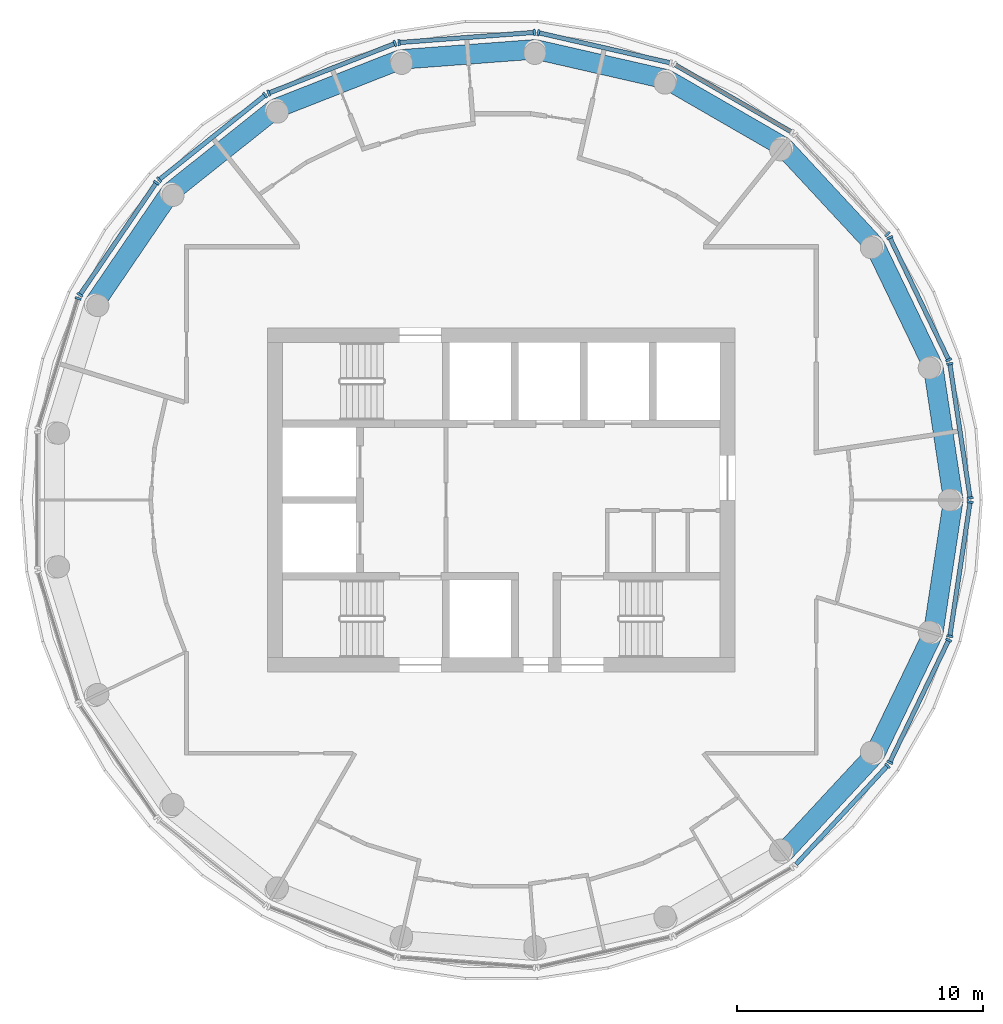
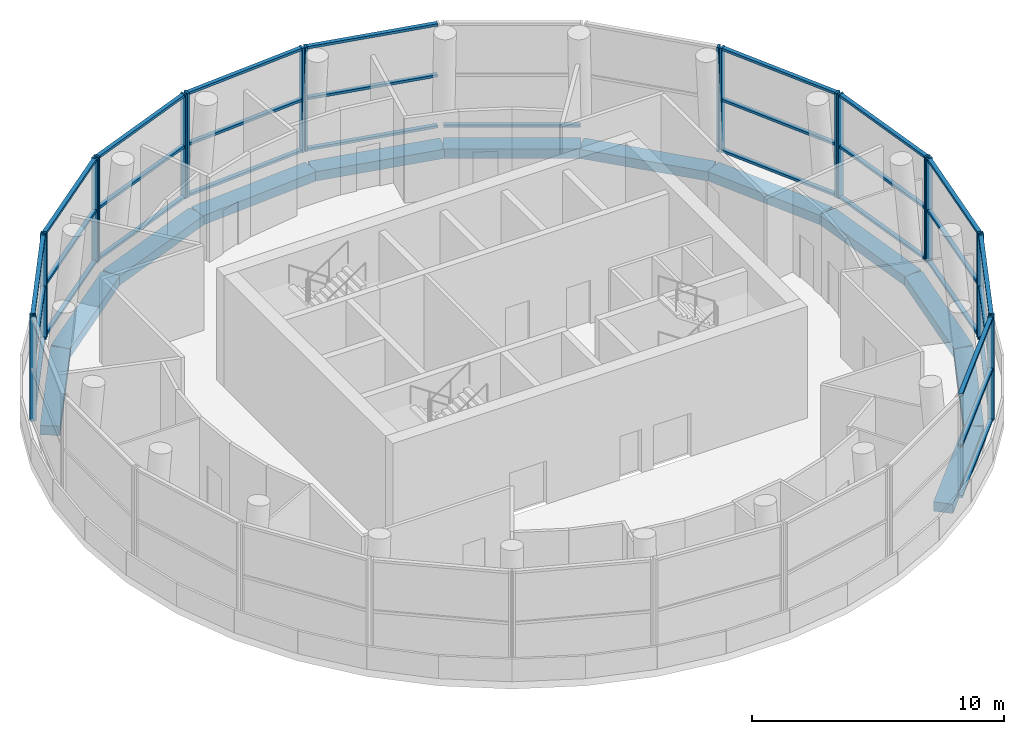
# One storey, part 2 of 10: 51 members, 12 beams, 13 elements without a shape of their own.
"""IFC4 building model written with IfcOpenShell, lengths in metres."""

from ifc_helpers import new_model, si_unit, direction, frame, origin, origin_2d, place, context, subcontext, project, spatial, rectangle, extrude, material, material_profile, profile_set, type_object, element, aggregate, save


model = new_model("IFC4")

# Units and contexts
model_context = context("Model", 3, precision=1e-05, world=origin(), true_north=direction((0.0, 1.0)))
body_context = subcontext(model_context, "Body", "Model", "MODEL_VIEW")
ifc_project = project(units=[si_unit("LENGTHUNIT", "METRE"), si_unit("AREAUNIT", "SQUARE_METRE"), si_unit("VOLUMEUNIT", "CUBIC_METRE"), si_unit("PLANEANGLEUNIT", "RADIAN"), si_unit("MASSUNIT", "GRAM", prefix="KILO")], contexts=[model_context])

# Site, building, storey
site_placement = place(None, origin())
site = spatial("IfcSite", under=ifc_project, at=site_placement, CompositionType="ELEMENT")
building_placement = place(site_placement, origin())
building = spatial("IfcBuilding", under=site, at=building_placement, Name="Tracery Tower", CompositionType="ELEMENT")
storey_placement = place(building_placement, frame((0.0, 0.0, 336.0)))
storey = spatial("IfcBuildingStorey", under=building, at=storey_placement, Name="L87", CompositionType="ELEMENT", Elevation=336.0)

# Curtain wall, members
ifc_material_1 = material(Name="Aluminium curtain wall with tinted glass", Category="aluminium")
curtain_wall_type = type_object("IfcCurtainWallType", Name="Glazed crown lower curtain wall", PredefinedType="NOTDEFINED", material=ifc_material_1)
curtain_wall_1_placement = place(storey_placement, origin())
curtain_wall_1 = element("IfcCurtainWall", 1, at=curtain_wall_1_placement, inside=storey, type_object=curtain_wall_type, Name="Glazed crown lower run 00", PredefinedType="NOTDEFINED")
ifc_material_2 = material(Name="Aluminium, bronze anodised", Category="aluminium")
ifc_material_profile_1 = material_profile(ifc_material_2, rectangle(XDim=0.260009765625, YDim=0.090087890625, at=origin_2d()), Name="Glazed crown lower mullion 90 x 260")
ifc_profile_set_1 = profile_set([ifc_material_profile_1], Name="Aluminium, bronze anodised")
member_type_1 = type_object("IfcMemberType", Name="Glazed crown lower mullion 90 x 260", PredefinedType="MULLION", material=ifc_profile_set_1)
member_1_placement = place(storey_placement, frame((19.0595703125, 0.083984375, 0.0), z_axis=(0.0, 0.0, 1.0), x_axis=(-0.988830759431, -0.149042709329, 0.0)))
member_1 = element("IfcMember", 2, at=member_1_placement, type_object=member_type_1, Name="CWB2 mullion 1", PredefinedType="MULLION", context=body_context, shape_type="SweptSolid", body=[
    extrude(rectangle(XDim=0.260009765625, YDim=0.090087890625, at=origin_2d()), origin(), (0.0, 0.0, 1.0), 5.050048828125),
])
member_2_placement = place(storey_placement, frame((18.237548828125, 5.53759765625, 0.0), z_axis=(0.0, 0.0, 1.0), x_axis=(-0.988830759431, -0.149042709329, 0.0)))
member_2 = element("IfcMember", 3, at=member_2_placement, type_object=member_type_1, Name="CWB2 mullion 2", PredefinedType="MULLION", context=body_context, shape_type="SweptSolid", body=[
    extrude(rectangle(XDim=0.260009765625, YDim=0.090087890625, at=origin_2d()), origin(), (0.0, 0.0, 1.0), 5.050048828125),
])

curtain_wall_2_placement = place(storey_placement, origin())
curtain_wall_2 = element("IfcCurtainWall", 4, at=curtain_wall_2_placement, inside=storey, type_object=curtain_wall_type, Name="Glazed crown lower run 01", PredefinedType="NOTDEFINED")
member_3_placement = place(storey_placement, frame((18.18798828125, 5.6982421875, 0.0), z_axis=(0.0, 0.0, 1.0), x_axis=(-0.900965508007, -0.433890715943, 0.0)))
member_3 = element("IfcMember", 5, at=member_3_placement, type_object=member_type_1, Name="CWB2 mullion 1", PredefinedType="MULLION", context=body_context, shape_type="SweptSolid", body=[
    extrude(rectangle(XDim=0.260009765625, YDim=0.090087890625, at=origin_2d()), origin(), (0.0, 0.0, 1.0), 5.050048828125),
])
member_4_placement = place(storey_placement, frame((15.794921875, 10.667236328125, 0.0), z_axis=(0.0, 0.0, 1.0), x_axis=(-0.900965508007, -0.433890715943, 0.0)))
member_4 = element("IfcMember", 6, at=member_4_placement, type_object=member_type_1, Name="CWB2 mullion 2", PredefinedType="MULLION", context=body_context, shape_type="SweptSolid", body=[
    extrude(rectangle(XDim=0.260009765625, YDim=0.090087890625, at=origin_2d()), origin(), (0.0, 0.0, 1.0), 5.050048828125),
])

# Curtain wall, member
curtain_wall_3_placement = place(storey_placement, origin())
curtain_wall_3 = element("IfcCurtainWall", 7, at=curtain_wall_3_placement, inside=storey, type_object=curtain_wall_type, Name="Glazed crown lower run 02", PredefinedType="NOTDEFINED")
member_5_placement = place(storey_placement, frame((15.700439453125, 10.80615234375, 0.0), z_axis=(0.0, 0.0, 1.0), x_axis=(-0.733043800123, -0.680181436899, 0.0)))
member_5 = element("IfcMember", 8, at=member_5_placement, type_object=member_type_1, Name="CWB2 mullion 1", PredefinedType="MULLION", context=body_context, shape_type="SweptSolid", body=[
    extrude(rectangle(XDim=0.260009765625, YDim=0.090087890625, at=origin_2d()), origin(), (0.0, 0.0, 1.0), 5.050048828125),
])
aggregate(curtain_wall_3, [member_5])

curtain_wall_4_placement = place(storey_placement, origin())
curtain_wall_4 = element("IfcCurtainWall", 9, at=curtain_wall_4_placement, inside=storey, type_object=curtain_wall_type, Name="Glazed crown lower run 04", PredefinedType="NOTDEFINED")
member_6_placement = place(storey_placement, frame((1.508056640625, 19.0, 0.0), z_axis=(0.0, 0.0, 1.0), x_axis=(-0.22252783727, -0.97492633652, 0.0)))
member_6 = element("IfcMember", 10, at=member_6_placement, type_object=member_type_1, Name="CWB2 mullion 2", PredefinedType="MULLION", context=body_context, shape_type="SweptSolid", body=[
    extrude(rectangle(XDim=0.260009765625, YDim=0.090087890625, at=origin_2d()), origin(), (0.0, 0.0, 1.0), 5.050048828125),
])

# Curtain wall, members
curtain_wall_5_placement = place(storey_placement, origin())
curtain_wall_5 = element("IfcCurtainWall", 11, at=curtain_wall_5_placement, inside=storey, type_object=curtain_wall_type, Name="Glazed crown lower run 05", PredefinedType="NOTDEFINED")
member_7_placement = place(storey_placement, frame((1.340576171875, 19.012451171875, 0.0), z_axis=(0.0, 0.0, 1.0), x_axis=(0.074734507926, -0.997203466362, 0.0)))
member_7 = element("IfcMember", 12, at=member_7_placement, type_object=member_type_1, Name="CWB2 mullion 1", PredefinedType="MULLION", context=body_context, shape_type="SweptSolid", body=[
    extrude(rectangle(XDim=0.260009765625, YDim=0.090087890625, at=origin_2d()), origin(), (0.0, 0.0, 1.0), 5.050048828125),
])
member_8_placement = place(storey_placement, frame((-4.1591796875, 18.600341796875, 0.0), z_axis=(0.0, 0.0, 1.0), x_axis=(0.074734507926, -0.997203466362, 0.0)))
member_8 = element("IfcMember", 13, at=member_8_placement, type_object=member_type_1, Name="CWB2 mullion 2", PredefinedType="MULLION", context=body_context, shape_type="SweptSolid", body=[
    extrude(rectangle(XDim=0.260009765625, YDim=0.090087890625, at=origin_2d()), origin(), (0.0, 0.0, 1.0), 5.050048828125),
])

curtain_wall_6_placement = place(storey_placement, origin())
curtain_wall_6 = element("IfcCurtainWall", 14, at=curtain_wall_6_placement, inside=storey, type_object=curtain_wall_type, Name="Glazed crown lower run 06", PredefinedType="NOTDEFINED")
member_9_placement = place(storey_placement, frame((-4.322998046875, 18.56298828125, 0.0), z_axis=(0.0, 0.0, 1.0), x_axis=(0.365341588966, -0.930873527055, 0.0)))
member_9 = element("IfcMember", 15, at=member_9_placement, type_object=member_type_1, Name="CWB2 mullion 1", PredefinedType="MULLION", context=body_context, shape_type="SweptSolid", body=[
    extrude(rectangle(XDim=0.260009765625, YDim=0.090087890625, at=origin_2d()), origin(), (0.0, 0.0, 1.0), 5.050048828125),
])
member_10_placement = place(storey_placement, frame((-9.45703125, 16.548095703125, 0.0), z_axis=(0.0, 0.0, 1.0), x_axis=(0.365341588966, -0.930873527055, 0.0)))
member_10 = element("IfcMember", 16, at=member_10_placement, type_object=member_type_1, Name="CWB2 mullion 2", PredefinedType="MULLION", context=body_context, shape_type="SweptSolid", body=[
    extrude(rectangle(XDim=0.260009765625, YDim=0.090087890625, at=origin_2d()), origin(), (0.0, 0.0, 1.0), 5.050048828125),
])

curtain_wall_7_placement = place(storey_placement, origin())
curtain_wall_7 = element("IfcCurtainWall", 17, at=curtain_wall_7_placement, inside=storey, type_object=curtain_wall_type, Name="Glazed crown lower run 07", PredefinedType="NOTDEFINED")
member_11_placement = place(storey_placement, frame((-9.6025390625, 16.464111328125, 0.0), z_axis=(0.0, 0.0, 1.0), x_axis=(0.623502028407, -0.781821731965, 0.0)))
member_11 = element("IfcMember", 18, at=member_11_placement, type_object=member_type_1, Name="CWB2 mullion 1", PredefinedType="MULLION", context=body_context, shape_type="SweptSolid", body=[
    extrude(rectangle(XDim=0.260009765625, YDim=0.090087890625, at=origin_2d()), origin(), (0.0, 0.0, 1.0), 5.050048828125),
])
member_12_placement = place(storey_placement, frame((-13.914306640625, 13.025390625, 0.0), z_axis=(0.0, 0.0, 1.0), x_axis=(0.623502028407, -0.781821731965, 0.0)))
member_12 = element("IfcMember", 19, at=member_12_placement, type_object=member_type_1, Name="CWB2 mullion 2", PredefinedType="MULLION", context=body_context, shape_type="SweptSolid", body=[
    extrude(rectangle(XDim=0.260009765625, YDim=0.090087890625, at=origin_2d()), origin(), (0.0, 0.0, 1.0), 5.050048828125),
])

curtain_wall_8_placement = place(storey_placement, origin())
curtain_wall_8 = element("IfcCurtainWall", 20, at=curtain_wall_8_placement, inside=storey, type_object=curtain_wall_type, Name="Glazed crown lower run 08", PredefinedType="NOTDEFINED")
member_13_placement = place(storey_placement, frame((-14.02880859375, 12.902099609375, 0.0), z_axis=(0.0, 0.0, 1.0), x_axis=(0.826233004573, -0.56332852063, 0.0)))
member_13 = element("IfcMember", 21, at=member_13_placement, type_object=member_type_1, Name="CWB2 mullion 1", PredefinedType="MULLION", context=body_context, shape_type="SweptSolid", body=[
    extrude(rectangle(XDim=0.260009765625, YDim=0.090087890625, at=origin_2d()), origin(), (0.0, 0.0, 1.0), 5.050048828125),
])
member_14_placement = place(storey_placement, frame((-17.135498046875, 8.345458984375, 0.0), z_axis=(0.0, 0.0, 1.0), x_axis=(0.826233004573, -0.56332852063, 0.0)))
member_14 = element("IfcMember", 22, at=member_14_placement, type_object=member_type_1, Name="CWB2 mullion 2", PredefinedType="MULLION", context=body_context, shape_type="SweptSolid", body=[
    extrude(rectangle(XDim=0.260009765625, YDim=0.090087890625, at=origin_2d()), origin(), (0.0, 0.0, 1.0), 5.050048828125),
])

# Curtain wall, member
curtain_wall_9_placement = place(storey_placement, origin())
curtain_wall_9 = element("IfcCurtainWall", 23, at=curtain_wall_9_placement, inside=storey, type_object=curtain_wall_type, Name="Glazed crown lower run 09", PredefinedType="NOTDEFINED")
member_15_placement = place(storey_placement, frame((-17.20849609375, 8.19384765625, 0.0), z_axis=(0.0, 0.0, 1.0), x_axis=(0.955569692605, -0.294765266906, 0.0)))
member_15 = element("IfcMember", 24, at=member_15_placement, type_object=member_type_1, Name="CWB2 mullion 1", PredefinedType="MULLION", context=body_context, shape_type="SweptSolid", body=[
    extrude(rectangle(XDim=0.260009765625, YDim=0.090087890625, at=origin_2d()), origin(), (0.0, 0.0, 1.0), 5.050048828125),
])
aggregate(curtain_wall_9, [member_15])

curtain_wall_10_placement = place(storey_placement, origin())
curtain_wall_10 = element("IfcCurtainWall", 25, at=curtain_wall_10_placement, inside=storey, type_object=curtain_wall_type, Name="Glazed crown lower run 18", PredefinedType="NOTDEFINED")
member_16_placement = place(storey_placement, frame((15.700439453125, -10.80615234375, 0.0), z_axis=(0.0, 0.0, 1.0), x_axis=(-0.733043800123, 0.680181436899, 0.0)))
member_16 = element("IfcMember", 26, at=member_16_placement, type_object=member_type_1, Name="CWB2 mullion 2", PredefinedType="MULLION", context=body_context, shape_type="SweptSolid", body=[
    extrude(rectangle(XDim=0.260009765625, YDim=0.090087890625, at=origin_2d()), origin(), (0.0, 0.0, 1.0), 5.050048828125),
])

# Curtain wall, members
curtain_wall_11_placement = place(storey_placement, origin())
curtain_wall_11 = element("IfcCurtainWall", 27, at=curtain_wall_11_placement, inside=storey, type_object=curtain_wall_type, Name="Glazed crown lower run 19", PredefinedType="NOTDEFINED")
member_17_placement = place(storey_placement, frame((15.794921875, -10.667236328125, 0.0), z_axis=(0.0, 0.0, 1.0), x_axis=(-0.900965508007, 0.433890715943, 0.0)))
member_17 = element("IfcMember", 28, at=member_17_placement, type_object=member_type_1, Name="CWB2 mullion 1", PredefinedType="MULLION", context=body_context, shape_type="SweptSolid", body=[
    extrude(rectangle(XDim=0.260009765625, YDim=0.090087890625, at=origin_2d()), origin(), (0.0, 0.0, 1.0), 5.050048828125),
])
member_18_placement = place(storey_placement, frame((18.18798828125, -5.6982421875, 0.0), z_axis=(0.0, 0.0, 1.0), x_axis=(-0.900965508007, 0.433890715943, 0.0)))
member_18 = element("IfcMember", 29, at=member_18_placement, type_object=member_type_1, Name="CWB2 mullion 2", PredefinedType="MULLION", context=body_context, shape_type="SweptSolid", body=[
    extrude(rectangle(XDim=0.260009765625, YDim=0.090087890625, at=origin_2d()), origin(), (0.0, 0.0, 1.0), 5.050048828125),
])

curtain_wall_12_placement = place(storey_placement, origin())
curtain_wall_12 = element("IfcCurtainWall", 30, at=curtain_wall_12_placement, inside=storey, type_object=curtain_wall_type, Name="Glazed crown lower run 20", PredefinedType="NOTDEFINED")
member_19_placement = place(storey_placement, frame((18.237548828125, -5.53759765625, 0.0), z_axis=(0.0, 0.0, 1.0), x_axis=(-0.988830759431, 0.149042709329, 0.0)))
member_19 = element("IfcMember", 31, at=member_19_placement, type_object=member_type_1, Name="CWB2 mullion 1", PredefinedType="MULLION", context=body_context, shape_type="SweptSolid", body=[
    extrude(rectangle(XDim=0.260009765625, YDim=0.090087890625, at=origin_2d()), origin(), (0.0, 0.0, 1.0), 5.050048828125),
])
member_20_placement = place(storey_placement, frame((19.0595703125, -0.083984375, 0.0), z_axis=(0.0, 0.0, 1.0), x_axis=(-0.988830759431, 0.149042709329, 0.0)))
member_20 = element("IfcMember", 32, at=member_20_placement, type_object=member_type_1, Name="CWB2 mullion 2", PredefinedType="MULLION", context=body_context, shape_type="SweptSolid", body=[
    extrude(rectangle(XDim=0.260009765625, YDim=0.090087890625, at=origin_2d()), origin(), (0.0, 0.0, 1.0), 5.050048828125),
])

# Member
ifc_material_3 = material(Name="Aluminium, bronze anodised", Category="aluminium")
ifc_material_profile_2 = material_profile(ifc_material_3, rectangle(XDim=0.179931640625, YDim=0.1201171875, at=origin_2d()), Name="Glazed crown lower transom 120 x 180")
ifc_profile_set_2 = profile_set([ifc_material_profile_2], Name="Aluminium, bronze anodised")
member_type_2 = type_object("IfcMemberType", Name="Glazed crown lower transom 120 x 180", PredefinedType="USERDEFINED", material=ifc_profile_set_2)
member_21_placement = place(storey_placement, frame((19.052734375, 0.128662109375, 0.06005859375), z_axis=(-0.149046804304, 0.988830142202, 0.0), x_axis=(-0.988830142202, -0.149046804304, 0.0)))
member_21 = element("IfcMember", 33, at=member_21_placement, type_object=member_type_2, Name="CWB2 transom 1.1", ObjectType="TRANSOM", PredefinedType="USERDEFINED", context=body_context, shape_type="SweptSolid", body=[
    extrude(rectangle(XDim=0.179931640625, YDim=0.1201171875, at=origin_2d()), origin(), (0.0, 0.0, 1.0), 5.425048828125),
])

member_22_placement = place(storey_placement, frame((19.052734375, 0.128662109375, 2.52490234375), z_axis=(-0.149046804304, 0.988830142202, 0.0), x_axis=(-0.988830142202, -0.149046804304, 0.0)))
member_22 = element("IfcMember", 34, at=member_22_placement, type_object=member_type_2, Name="CWB2 transom 1.2", ObjectType="TRANSOM", PredefinedType="USERDEFINED", context=body_context, shape_type="SweptSolid", body=[
    extrude(rectangle(XDim=0.179931640625, YDim=0.1201171875, at=origin_2d()), origin(), (0.0, 0.0, 1.0), 5.425048828125),
])

member_23_placement = place(storey_placement, frame((19.052734375, 0.128662109375, 4.989990234375), z_axis=(-0.149046804304, 0.988830142202, 0.0), x_axis=(-0.988830142202, -0.149046804304, 0.0)))
member_23 = element("IfcMember", 35, at=member_23_placement, type_object=member_type_2, Name="CWB2 transom 1.3", ObjectType="TRANSOM", PredefinedType="USERDEFINED", context=body_context, shape_type="SweptSolid", body=[
    extrude(rectangle(XDim=0.179931640625, YDim=0.1201171875, at=origin_2d()), origin(), (0.0, 0.0, 1.0), 5.425048828125),
])

aggregate(curtain_wall_1, [member_1, member_2, member_21, member_22, member_23])

member_24_placement = place(storey_placement, frame((18.16845703125, 5.73876953125, 0.06005859375), z_axis=(-0.433898151911, 0.900961926925, 0.0), x_axis=(-0.900961926925, -0.433898151911, 0.0)))
member_24 = element("IfcMember", 36, at=member_24_placement, type_object=member_type_2, Name="CWB2 transom 1.1", ObjectType="TRANSOM", PredefinedType="USERDEFINED", context=body_context, shape_type="SweptSolid", body=[
    extrude(rectangle(XDim=0.179931640625, YDim=0.1201171875, at=origin_2d()), origin(), (0.0, 0.0, 1.0), 5.42529296875),
])

member_25_placement = place(storey_placement, frame((18.16845703125, 5.73876953125, 2.52490234375), z_axis=(-0.433898151911, 0.900961926925, 0.0), x_axis=(-0.900961926925, -0.433898151911, 0.0)))
member_25 = element("IfcMember", 37, at=member_25_placement, type_object=member_type_2, Name="CWB2 transom 1.2", ObjectType="TRANSOM", PredefinedType="USERDEFINED", context=body_context, shape_type="SweptSolid", body=[
    extrude(rectangle(XDim=0.179931640625, YDim=0.1201171875, at=origin_2d()), origin(), (0.0, 0.0, 1.0), 5.42529296875),
])

member_26_placement = place(storey_placement, frame((18.16845703125, 5.73876953125, 4.989990234375), z_axis=(-0.433898151911, 0.900961926925, 0.0), x_axis=(-0.900961926925, -0.433898151911, 0.0)))
member_26 = element("IfcMember", 38, at=member_26_placement, type_object=member_type_2, Name="CWB2 transom 1.3", ObjectType="TRANSOM", PredefinedType="USERDEFINED", context=body_context, shape_type="SweptSolid", body=[
    extrude(rectangle(XDim=0.179931640625, YDim=0.1201171875, at=origin_2d()), origin(), (0.0, 0.0, 1.0), 5.42529296875),
])

aggregate(curtain_wall_2, [member_3, member_4, member_24, member_25, member_26])

# Curtain wall, member
curtain_wall_13_placement = place(storey_placement, origin())
curtain_wall_13 = element("IfcCurtainWall", 39, at=curtain_wall_13_placement, inside=storey, type_object=curtain_wall_type, Name="Glazed crown lower run 03", PredefinedType="NOTDEFINED")
member_27_placement = place(storey_placement, frame((11.77880859375, 14.976318359375, 0.06005859375), z_axis=(-0.866046953215, 0.499962673433, 0.0), x_axis=(-0.499962673433, -0.866046953215, 0.0)))
member_27 = element("IfcMember", 40, at=member_27_placement, type_object=member_type_2, Name="CWB2 transom 1.1", ObjectType="TRANSOM", PredefinedType="USERDEFINED", context=body_context, shape_type="SweptSolid", body=[
    extrude(rectangle(XDim=0.179931640625, YDim=0.1201171875, at=origin_2d()), origin(), (0.0, 0.0, 1.0), 5.42529296875),
])
aggregate(curtain_wall_13, [member_27])

# Member
member_28_placement = place(storey_placement, frame((6.841064453125, 17.78271484375, 0.06005859375), z_axis=(-0.974924657435, 0.222535193455, 0.0), x_axis=(-0.222535193455, -0.974924657435, 0.0)))
member_28 = element("IfcMember", 41, at=member_28_placement, type_object=member_type_2, Name="CWB2 transom 1.1", ObjectType="TRANSOM", PredefinedType="USERDEFINED", context=body_context, shape_type="SweptSolid", body=[
    extrude(rectangle(XDim=0.179931640625, YDim=0.1201171875, at=origin_2d()), origin(), (0.0, 0.0, 1.0), 5.425048828125),
])

member_29_placement = place(storey_placement, frame((6.841064453125, 17.78271484375, 2.52490234375), z_axis=(-0.974924657435, 0.222535193455, 0.0), x_axis=(-0.222535193455, -0.974924657435, 0.0)))
member_29 = element("IfcMember", 42, at=member_29_placement, type_object=member_type_2, Name="CWB2 transom 1.2", ObjectType="TRANSOM", PredefinedType="USERDEFINED", context=body_context, shape_type="SweptSolid", body=[
    extrude(rectangle(XDim=0.179931640625, YDim=0.1201171875, at=origin_2d()), origin(), (0.0, 0.0, 1.0), 5.425048828125),
])

member_30_placement = place(storey_placement, frame((6.841064453125, 17.78271484375, 4.989990234375), z_axis=(-0.974924657435, 0.222535193455, 0.0), x_axis=(-0.222535193455, -0.974924657435, 0.0)))
member_30 = element("IfcMember", 43, at=member_30_placement, type_object=member_type_2, Name="CWB2 transom 1.3", ObjectType="TRANSOM", PredefinedType="USERDEFINED", context=body_context, shape_type="SweptSolid", body=[
    extrude(rectangle(XDim=0.179931640625, YDim=0.1201171875, at=origin_2d()), origin(), (0.0, 0.0, 1.0), 5.425048828125),
])

aggregate(curtain_wall_4, [member_6, member_28, member_29, member_30])

member_31_placement = place(storey_placement, frame((1.295654296875, 19.00927734375, 0.06005859375), z_axis=(-0.99720241359, -0.07474855404, 0.0), x_axis=(0.07474855404, -0.99720241359, 0.0)))
member_31 = element("IfcMember", 44, at=member_31_placement, type_object=member_type_2, Name="CWB2 transom 1.1", ObjectType="TRANSOM", PredefinedType="USERDEFINED", context=body_context, shape_type="SweptSolid", body=[
    extrude(rectangle(XDim=0.179931640625, YDim=0.1201171875, at=origin_2d()), origin(), (0.0, 0.0, 1.0), 5.425048828125),
])

member_32_placement = place(storey_placement, frame((1.295654296875, 19.00927734375, 2.52490234375), z_axis=(-0.99720241359, -0.07474855404, 0.0), x_axis=(0.07474855404, -0.99720241359, 0.0)))
member_32 = element("IfcMember", 45, at=member_32_placement, type_object=member_type_2, Name="CWB2 transom 1.2", ObjectType="TRANSOM", PredefinedType="USERDEFINED", context=body_context, shape_type="SweptSolid", body=[
    extrude(rectangle(XDim=0.179931640625, YDim=0.1201171875, at=origin_2d()), origin(), (0.0, 0.0, 1.0), 5.425048828125),
])

member_33_placement = place(storey_placement, frame((1.295654296875, 19.00927734375, 4.989990234375), z_axis=(-0.99720241359, -0.07474855404, 0.0), x_axis=(0.07474855404, -0.99720241359, 0.0)))
member_33 = element("IfcMember", 46, at=member_33_placement, type_object=member_type_2, Name="CWB2 transom 1.3", ObjectType="TRANSOM", PredefinedType="USERDEFINED", context=body_context, shape_type="SweptSolid", body=[
    extrude(rectangle(XDim=0.179931640625, YDim=0.1201171875, at=origin_2d()), origin(), (0.0, 0.0, 1.0), 5.425048828125),
])

aggregate(curtain_wall_5, [member_7, member_8, member_31, member_32, member_33])

member_34_placement = place(storey_placement, frame((-4.364990234375, 18.546630859375, 0.06005859375), z_axis=(-0.930862488146, -0.365369714347, 0.0), x_axis=(0.365369714347, -0.930862488146, 0.0)))
member_34 = element("IfcMember", 47, at=member_34_placement, type_object=member_type_2, Name="CWB2 transom 1.1", ObjectType="TRANSOM", PredefinedType="USERDEFINED", context=body_context, shape_type="SweptSolid", body=[
    extrude(rectangle(XDim=0.179931640625, YDim=0.1201171875, at=origin_2d()), origin(), (0.0, 0.0, 1.0), 5.425048828125),
])

member_35_placement = place(storey_placement, frame((-4.364990234375, 18.546630859375, 2.52490234375), z_axis=(-0.930862488146, -0.365369714347, 0.0), x_axis=(0.365369714347, -0.930862488146, 0.0)))
member_35 = element("IfcMember", 48, at=member_35_placement, type_object=member_type_2, Name="CWB2 transom 1.2", ObjectType="TRANSOM", PredefinedType="USERDEFINED", context=body_context, shape_type="SweptSolid", body=[
    extrude(rectangle(XDim=0.179931640625, YDim=0.1201171875, at=origin_2d()), origin(), (0.0, 0.0, 1.0), 5.425048828125),
])

member_36_placement = place(storey_placement, frame((-4.364990234375, 18.546630859375, 4.989990234375), z_axis=(-0.930862488146, -0.365369714347, 0.0), x_axis=(0.365369714347, -0.930862488146, 0.0)))
member_36 = element("IfcMember", 49, at=member_36_placement, type_object=member_type_2, Name="CWB2 transom 1.3", ObjectType="TRANSOM", PredefinedType="USERDEFINED", context=body_context, shape_type="SweptSolid", body=[
    extrude(rectangle(XDim=0.179931640625, YDim=0.1201171875, at=origin_2d()), origin(), (0.0, 0.0, 1.0), 5.425048828125),
])

aggregate(curtain_wall_6, [member_9, member_10, member_34, member_35, member_36])

member_37_placement = place(storey_placement, frame((-9.6376953125, 16.43603515625, 0.06005859375), z_axis=(-0.781820627655, -0.623503413121, 0.0), x_axis=(0.623503413121, -0.781820627655, 0.0)))
member_37 = element("IfcMember", 50, at=member_37_placement, type_object=member_type_2, Name="CWB2 transom 1.1", ObjectType="TRANSOM", PredefinedType="USERDEFINED", context=body_context, shape_type="SweptSolid", body=[
    extrude(rectangle(XDim=0.179931640625, YDim=0.1201171875, at=origin_2d()), origin(), (0.0, 0.0, 1.0), 5.425048828125),
])

member_38_placement = place(storey_placement, frame((-9.6376953125, 16.43603515625, 2.52490234375), z_axis=(-0.781820627655, -0.623503413121, 0.0), x_axis=(0.623503413121, -0.781820627655, 0.0)))
member_38 = element("IfcMember", 51, at=member_38_placement, type_object=member_type_2, Name="CWB2 transom 1.2", ObjectType="TRANSOM", PredefinedType="USERDEFINED", context=body_context, shape_type="SweptSolid", body=[
    extrude(rectangle(XDim=0.179931640625, YDim=0.1201171875, at=origin_2d()), origin(), (0.0, 0.0, 1.0), 5.425048828125),
])

member_39_placement = place(storey_placement, frame((-9.6376953125, 16.43603515625, 4.989990234375), z_axis=(-0.781820627655, -0.623503413121, 0.0), x_axis=(0.623503413121, -0.781820627655, 0.0)))
member_39 = element("IfcMember", 52, at=member_39_placement, type_object=member_type_2, Name="CWB2 transom 1.3", ObjectType="TRANSOM", PredefinedType="USERDEFINED", context=body_context, shape_type="SweptSolid", body=[
    extrude(rectangle(XDim=0.179931640625, YDim=0.1201171875, at=origin_2d()), origin(), (0.0, 0.0, 1.0), 5.425048828125),
])

aggregate(curtain_wall_7, [member_11, member_12, member_37, member_38, member_39])

member_40_placement = place(storey_placement, frame((-14.05419921875, 12.864990234375, 0.06005859375), z_axis=(-0.563300517154, -0.826252096744, 0.0), x_axis=(0.826252096744, -0.563300517154, 0.0)))
member_40 = element("IfcMember", 53, at=member_40_placement, type_object=member_type_2, Name="CWB2 transom 1.1", ObjectType="TRANSOM", PredefinedType="USERDEFINED", context=body_context, shape_type="SweptSolid", body=[
    extrude(rectangle(XDim=0.179931640625, YDim=0.1201171875, at=origin_2d()), origin(), (0.0, 0.0, 1.0), 5.425048828125),
])

member_41_placement = place(storey_placement, frame((-14.05419921875, 12.864990234375, 2.52490234375), z_axis=(-0.563300517154, -0.826252096744, 0.0), x_axis=(0.826252096744, -0.563300517154, 0.0)))
member_41 = element("IfcMember", 54, at=member_41_placement, type_object=member_type_2, Name="CWB2 transom 1.2", ObjectType="TRANSOM", PredefinedType="USERDEFINED", context=body_context, shape_type="SweptSolid", body=[
    extrude(rectangle(XDim=0.179931640625, YDim=0.1201171875, at=origin_2d()), origin(), (0.0, 0.0, 1.0), 5.425048828125),
])

member_42_placement = place(storey_placement, frame((-14.05419921875, 12.864990234375, 4.989990234375), z_axis=(-0.563300517154, -0.826252096744, 0.0), x_axis=(0.826252096744, -0.563300517154, 0.0)))
member_42 = element("IfcMember", 55, at=member_42_placement, type_object=member_type_2, Name="CWB2 transom 1.3", ObjectType="TRANSOM", PredefinedType="USERDEFINED", context=body_context, shape_type="SweptSolid", body=[
    extrude(rectangle(XDim=0.179931640625, YDim=0.1201171875, at=origin_2d()), origin(), (0.0, 0.0, 1.0), 5.425048828125),
])

aggregate(curtain_wall_8, [member_13, member_14, member_40, member_41, member_42])

member_43_placement = place(storey_placement, frame((11.979736328125, -14.81591796875, 0.06005859375), z_axis=(0.680173142396, 0.733051496393, 0.0), x_axis=(-0.733051496393, 0.680173142396, 0.0)))
member_43 = element("IfcMember", 56, at=member_43_placement, type_object=member_type_2, Name="CWB2 transom 1.1", ObjectType="TRANSOM", PredefinedType="USERDEFINED", context=body_context, shape_type="SweptSolid", body=[
    extrude(rectangle(XDim=0.179931640625, YDim=0.1201171875, at=origin_2d()), origin(), (0.0, 0.0, 1.0), 5.425048828125),
])

member_44_placement = place(storey_placement, frame((11.979736328125, -14.81591796875, 2.52490234375), z_axis=(0.680173142396, 0.733051496393, 0.0), x_axis=(-0.733051496393, 0.680173142396, 0.0)))
member_44 = element("IfcMember", 57, at=member_44_placement, type_object=member_type_2, Name="CWB2 transom 1.2", ObjectType="TRANSOM", PredefinedType="USERDEFINED", context=body_context, shape_type="SweptSolid", body=[
    extrude(rectangle(XDim=0.179931640625, YDim=0.1201171875, at=origin_2d()), origin(), (0.0, 0.0, 1.0), 5.425048828125),
])

member_45_placement = place(storey_placement, frame((11.979736328125, -14.81591796875, 4.989990234375), z_axis=(0.680173142396, 0.733051496393, 0.0), x_axis=(-0.733051496393, 0.680173142396, 0.0)))
member_45 = element("IfcMember", 58, at=member_45_placement, type_object=member_type_2, Name="CWB2 transom 1.3", ObjectType="TRANSOM", PredefinedType="USERDEFINED", context=body_context, shape_type="SweptSolid", body=[
    extrude(rectangle(XDim=0.179931640625, YDim=0.1201171875, at=origin_2d()), origin(), (0.0, 0.0, 1.0), 5.425048828125),
])

aggregate(curtain_wall_10, [member_16, member_43, member_44, member_45])

member_46_placement = place(storey_placement, frame((15.814453125, -10.626708984375, 0.06005859375), z_axis=(0.433898151911, 0.900961926925, 0.0), x_axis=(-0.900961926925, 0.433898151911, 0.0)))
member_46 = element("IfcMember", 59, at=member_46_placement, type_object=member_type_2, Name="CWB2 transom 1.1", ObjectType="TRANSOM", PredefinedType="USERDEFINED", context=body_context, shape_type="SweptSolid", body=[
    extrude(rectangle(XDim=0.179931640625, YDim=0.1201171875, at=origin_2d()), origin(), (0.0, 0.0, 1.0), 5.42529296875),
])

member_47_placement = place(storey_placement, frame((15.814453125, -10.626708984375, 2.52490234375), z_axis=(0.433898151911, 0.900961926925, 0.0), x_axis=(-0.900961926925, 0.433898151911, 0.0)))
member_47 = element("IfcMember", 60, at=member_47_placement, type_object=member_type_2, Name="CWB2 transom 1.2", ObjectType="TRANSOM", PredefinedType="USERDEFINED", context=body_context, shape_type="SweptSolid", body=[
    extrude(rectangle(XDim=0.179931640625, YDim=0.1201171875, at=origin_2d()), origin(), (0.0, 0.0, 1.0), 5.42529296875),
])

member_48_placement = place(storey_placement, frame((15.814453125, -10.626708984375, 4.989990234375), z_axis=(0.433898151911, 0.900961926925, 0.0), x_axis=(-0.900961926925, 0.433898151911, 0.0)))
member_48 = element("IfcMember", 61, at=member_48_placement, type_object=member_type_2, Name="CWB2 transom 1.3", ObjectType="TRANSOM", PredefinedType="USERDEFINED", context=body_context, shape_type="SweptSolid", body=[
    extrude(rectangle(XDim=0.179931640625, YDim=0.1201171875, at=origin_2d()), origin(), (0.0, 0.0, 1.0), 5.42529296875),
])

aggregate(curtain_wall_11, [member_17, member_18, member_46, member_47, member_48])

member_49_placement = place(storey_placement, frame((18.244140625, -5.4931640625, 0.06005859375), z_axis=(0.149046804304, 0.988830142202, 0.0), x_axis=(-0.988830142202, 0.149046804304, 0.0)))
member_49 = element("IfcMember", 62, at=member_49_placement, type_object=member_type_2, Name="CWB2 transom 1.1", ObjectType="TRANSOM", PredefinedType="USERDEFINED", context=body_context, shape_type="SweptSolid", body=[
    extrude(rectangle(XDim=0.179931640625, YDim=0.1201171875, at=origin_2d()), origin(), (0.0, 0.0, 1.0), 5.425048828125),
])

member_50_placement = place(storey_placement, frame((18.244140625, -5.4931640625, 2.52490234375), z_axis=(0.149046804304, 0.988830142202, 0.0), x_axis=(-0.988830142202, 0.149046804304, 0.0)))
member_50 = element("IfcMember", 63, at=member_50_placement, type_object=member_type_2, Name="CWB2 transom 1.2", ObjectType="TRANSOM", PredefinedType="USERDEFINED", context=body_context, shape_type="SweptSolid", body=[
    extrude(rectangle(XDim=0.179931640625, YDim=0.1201171875, at=origin_2d()), origin(), (0.0, 0.0, 1.0), 5.425048828125),
])

member_51_placement = place(storey_placement, frame((18.244140625, -5.4931640625, 4.989990234375), z_axis=(0.149046804304, 0.988830142202, 0.0), x_axis=(-0.988830142202, 0.149046804304, 0.0)))
member_51 = element("IfcMember", 64, at=member_51_placement, type_object=member_type_2, Name="CWB2 transom 1.3", ObjectType="TRANSOM", PredefinedType="USERDEFINED", context=body_context, shape_type="SweptSolid", body=[
    extrude(rectangle(XDim=0.179931640625, YDim=0.1201171875, at=origin_2d()), origin(), (0.0, 0.0, 1.0), 5.425048828125),
])

aggregate(curtain_wall_12, [member_19, member_20, member_49, member_50, member_51])

# Beams
ifc_material_4 = material(Name="Concrete C40/50", Category="concrete")
ifc_material_profile_3 = material_profile(ifc_material_4, rectangle(XDim=0.800048828125, YDim=0.449951171875, at=origin_2d()), Name="RC 800x450")
ifc_profile_set_3 = profile_set([ifc_material_profile_3], Name="Concrete C40/50")
beam_type = type_object("IfcBeamType", Name="Perimeter band beam 800x450", PredefinedType="BEAM", material=ifc_profile_set_3)
for number, where, z_axis, x_axis, name in (
    (65, (18.37548828125, 0.0, -0.574951171875), (-0.149048771863, 0.988829845629, 0.0), (-0.988829845629, -0.149048771863, 0.0), "Perimeter beam 2.00 under L87"),
    (66, (17.55908203125, 5.416259765625, -0.574951171875), (-0.433863863124, 0.900978439406, 0.0), (-0.900978439406, -0.433863863124, 0.0), "Perimeter beam 2.01 under L87"),
    (67, (15.1826171875, 10.351318359375, -0.574951171875), (-0.680204880035, 0.733022046855, 0.0), (-0.733022046855, -0.680204880035, 0.0), "Perimeter beam 2.02 under L87"),
):
    element("IfcBeam", number, at=place(storey_placement, frame(where, z_axis=z_axis, x_axis=x_axis)), inside=storey, type_object=beam_type, Name=name, PredefinedType="BEAM", context=body_context, shape_type="SweptSolid", body=[
        extrude(rectangle(XDim=0.800048828125, YDim=0.449951171875, at=origin_2d()), origin(), (0.0, 0.0, 1.0), 5.4775390625),
    ])
beam_placement = place(storey_placement, frame((11.456787109375, 14.366455078125, -0.574951171875), z_axis=(-0.866012633735, 0.500022117723, 0.0), x_axis=(-0.500022117723, -0.866012633735, 0.0)))
element("IfcBeam", 68, at=beam_placement, inside=storey, type_object=beam_type, Name="Perimeter beam 2.03 under L87", PredefinedType="BEAM", context=body_context, shape_type="SweptSolid", body=[
    extrude(rectangle(XDim=0.800048828125, YDim=0.449951171875, at=origin_2d()), origin(), (0.0, 0.0, 1.0), 5.477294921875),
])
for number, where, z_axis, x_axis, name in (
    (69, (6.71337890625, 17.105224609375, -0.574951171875), (-0.974921815333, 0.222547644308, 0.0), (-0.222547644308, -0.974921815333, 0.0), "Perimeter beam 2.04 under L87"),
    (70, (1.373291015625, 18.32421875, -0.574951171875), (-0.997202550026, -0.074746733849, 0.0), (0.074746733849, -0.997202550026, 0.0), "Perimeter beam 2.05 under L87"),
    (71, (-4.0888671875, 17.914794921875, -0.574951171875), (-0.930870087636, -0.365350352327, 0.0), (0.365350352327, -0.930870087636, 0.0), "Perimeter beam 2.06 under L87"),
):
    element("IfcBeam", number, at=place(storey_placement, frame(where, z_axis=z_axis, x_axis=x_axis)), inside=storey, type_object=beam_type, Name=name, PredefinedType="BEAM", context=body_context, shape_type="SweptSolid", body=[
        extrude(rectangle(XDim=0.800048828125, YDim=0.449951171875, at=origin_2d()), origin(), (0.0, 0.0, 1.0), 5.4775390625),
    ])
for number, where, z_axis, x_axis, name in (
    (72, (-9.187744140625, 15.91357421875, -0.574951171875), (-0.781841927017, -0.623476704584, 0.0), (0.623476704584, -0.781841927017, 0.0), "Perimeter beam 2.07 under L87"),
    (73, (-13.47021484375, 12.49853515625, -0.574951171875), (-0.563310545917, -0.826245259508, 0.0), (0.826245259508, -0.563310545917, 0.0), "Perimeter beam 2.08 under L87"),
):
    element("IfcBeam", number, at=place(storey_placement, frame(where, z_axis=z_axis, x_axis=x_axis)), inside=storey, type_object=beam_type, Name=name, PredefinedType="BEAM", context=body_context, shape_type="SweptSolid", body=[
        extrude(rectangle(XDim=0.800048828125, YDim=0.449951171875, at=origin_2d()), origin(), (0.0, 0.0, 1.0), 5.477294921875),
    ])
for number, where, z_axis, x_axis, name in (
    (74, (11.456787109375, -14.366455078125, -0.574951171875), (0.680204880035, 0.733022046855, 0.0), (-0.733022046855, 0.680204880035, 0.0), "Perimeter beam 2.18 under L87"),
    (75, (15.1826171875, -10.351318359375, -0.574951171875), (0.433863863124, 0.900978439406, 0.0), (-0.900978439406, 0.433863863124, 0.0), "Perimeter beam 2.19 under L87"),
    (76, (17.55908203125, -5.416259765625, -0.574951171875), (0.149048771863, 0.988829845629, 0.0), (-0.988829845629, 0.149048771863, 0.0), "Perimeter beam 2.20 under L87"),
):
    element("IfcBeam", number, at=place(storey_placement, frame(where, z_axis=z_axis, x_axis=x_axis)), inside=storey, type_object=beam_type, Name=name, PredefinedType="BEAM", context=body_context, shape_type="SweptSolid", body=[
        extrude(rectangle(XDim=0.800048828125, YDim=0.449951171875, at=origin_2d()), origin(), (0.0, 0.0, 1.0), 5.4775390625),
    ])

save(model, "model.ifc")
